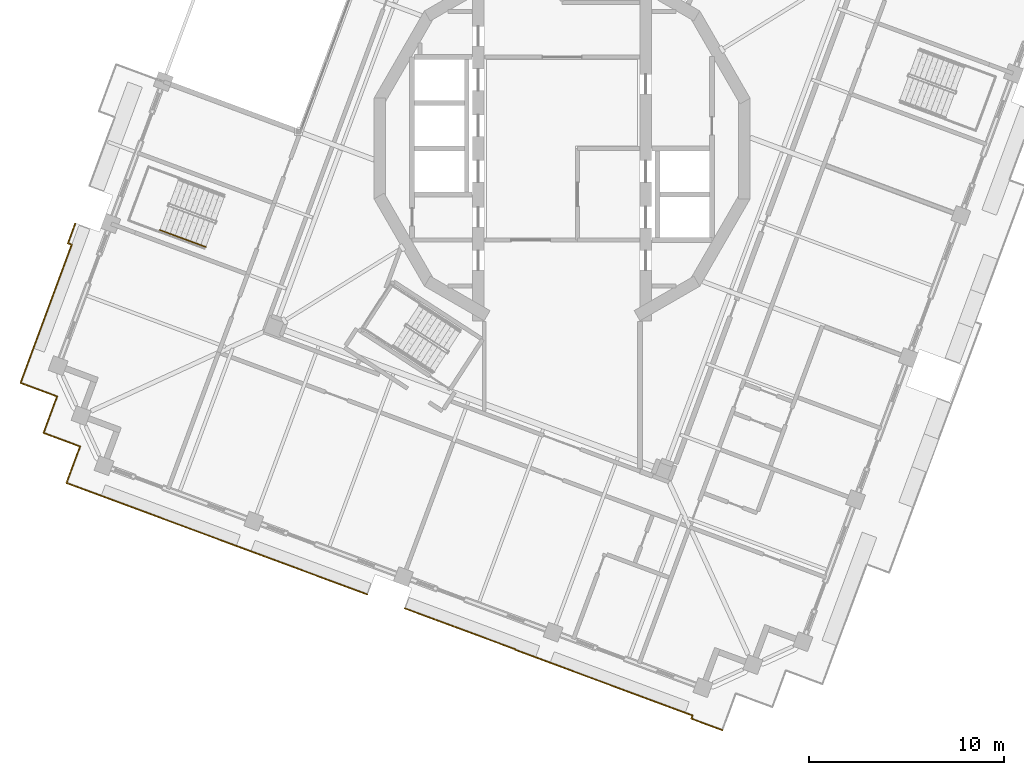
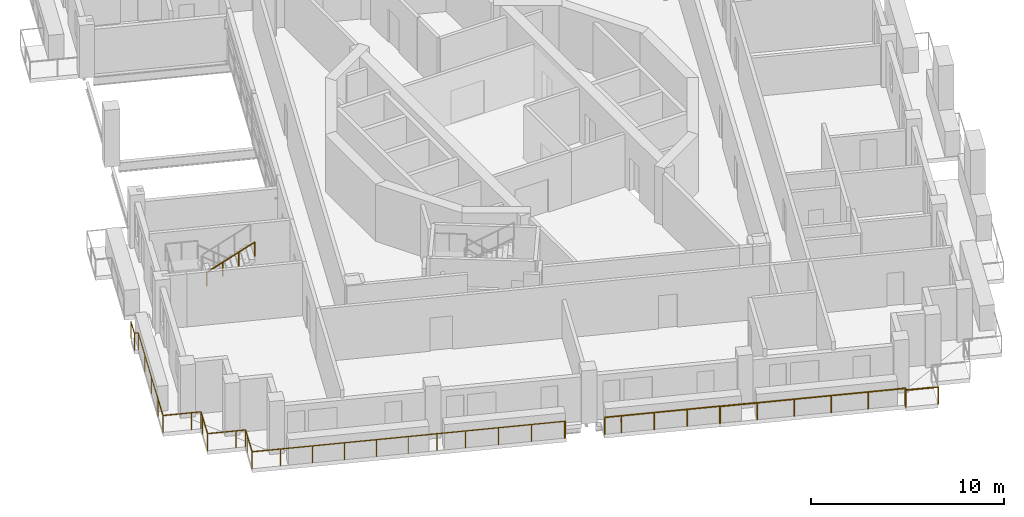
# One storey, part 15 of 20: 4 railings.
"""IFC4 building model written with IfcOpenShell, lengths in metres."""

from ifc_helpers import new_model, si_unit, direction, frame, origin, origin_2d, place, context, subcontext, project, spatial, circle, extrude, material, type_object, element, save


model = new_model("IFC4")

# Units and contexts
model_context = context("Model", 3, precision=1e-05, world=origin(), true_north=direction((0.0, 1.0)))
body_context = subcontext(model_context, "Body", "Model", "MODEL_VIEW")
ifc_project = project(units=[si_unit("LENGTHUNIT", "METRE"), si_unit("AREAUNIT", "SQUARE_METRE"), si_unit("VOLUMEUNIT", "CUBIC_METRE"), si_unit("PLANEANGLEUNIT", "RADIAN"), si_unit("MASSUNIT", "GRAM", prefix="KILO")], contexts=[model_context])

# Site, building, storey
site_placement = place(None, origin())
site = spatial("IfcSite", under=ifc_project, at=site_placement, CompositionType="ELEMENT")
building_placement = place(site_placement, origin())
building = spatial("IfcBuilding", under=site, at=building_placement, Name="Cantera Rosa Tower", CompositionType="ELEMENT")
storey_placement = place(building_placement, frame((0.0, 0.0, 309.699951171875)))
storey = spatial("IfcBuildingStorey", under=building, at=storey_placement, Name="L68", CompositionType="ELEMENT", Elevation=309.699951171875)

# Railings
ifc_material_1 = material(Name="Stainless steel and laminated glass", Category="steel")
railing_type_1 = type_object("IfcRailingType", Name="GUARD 1100", PredefinedType="BALUSTRADE", material=ifc_material_1)
railing_1_placement = place(storey_placement, frame((-26.113525390625, -13.198486328125, 0.0)))
element("IfcRailing", 1, at=railing_1_placement, inside=storey, type_object=railing_type_1, Name="GUARD L68-1", PredefinedType="BALUSTRADE", context=body_context, shape_type="SweptSolid", body=[
    extrude(circle(Radius=0.030029296875, at=origin_2d()), frame((0.0, 0.0, 1.070068359375), z_axis=(0.347696042931, 0.937607306781, 0.0), x_axis=(-0.937607306781, 0.347696042931, 0.0)), (0.0, 0.0, 1.0), 0.5),
    extrude(circle(Radius=0.030029296875, at=origin_2d()), frame((0.173828125, 0.46875, 1.070068359375), z_axis=(-0.937607306781, 0.347696042931, 0.0), x_axis=(-0.347696042931, -0.937607306781, 0.0)), (0.0, 0.0, 1.0), 0.5),
    extrude(circle(Radius=0.030029296875, at=origin_2d()), frame((-0.294921875, 0.642578125, 1.070068359375), z_axis=(-0.93769967459, 0.347446859641, 0.0), x_axis=(-0.347446859641, -0.93769967459, 0.0)), (0.0, 0.0, 1.0), 1.500244140625),
    extrude(circle(Radius=0.030029296875, at=origin_2d()), frame((-1.70166015625, 1.163818359375, 1.070068359375), z_axis=(0.347499887537, 0.937680024402, 0.0), x_axis=(-0.937680024402, 0.347499887537, 0.0)), (0.0, 0.0, 1.0), 1.5),
    extrude(circle(Radius=0.030029296875, at=origin_2d()), frame((-1.180419921875, 2.5703125, 1.070068359375), z_axis=(0.347479430906, 0.937687605281, 0.0), x_axis=(-0.937687605281, 0.347479430906, 0.0)), (0.0, 0.0, 1.0), 6.069091796875),
    extrude(circle(Radius=0.030029296875, at=origin_2d()), frame((0.928466796875, 8.26123046875, 1.070068359375), z_axis=(-0.937748760724, 0.347314355824, 0.0), x_axis=(-0.347314355824, -0.937748760724, 0.0)), (0.0, 0.0, 1.0), 0.2109375),
    extrude(circle(Radius=0.030029296875, at=origin_2d()), frame((0.730712890625, 8.33447265625, 1.070068359375), z_axis=(0.347358490331, 0.937732413429, 0.0), x_axis=(-0.937732413429, 0.347358490331, 0.0)), (0.0, 0.0, 1.0), 1.0810546875),
    extrude(circle(Radius=0.02490234375, at=origin_2d()), origin(), (0.0, 0.0, 1.0), 1.0400390625),
    extrude(circle(Radius=0.02490234375, at=origin_2d()), frame((0.173828125, 0.46875, 0.0)), (0.0, 0.0, 1.0), 1.0400390625),
    extrude(circle(Radius=0.02490234375, at=origin_2d()), frame((-0.294921875, 0.642578125, 0.0)), (0.0, 0.0, 1.0), 1.0400390625),
    extrude(circle(Radius=0.02490234375, at=origin_2d()), frame((-1.70166015625, 1.163818359375, 0.0)), (0.0, 0.0, 1.0), 1.0400390625),
    extrude(circle(Radius=0.02490234375, at=origin_2d()), frame((-1.180419921875, 2.5703125, 0.0)), (0.0, 0.0, 1.0), 1.0400390625),
    extrude(circle(Radius=0.02490234375, at=origin_2d()), frame((-0.4775390625, 4.46728515625, 0.0)), (0.0, 0.0, 1.0), 1.0400390625),
    extrude(circle(Radius=0.02490234375, at=origin_2d()), frame((0.2255859375, 6.3642578125, 0.0)), (0.0, 0.0, 1.0), 1.0400390625),
    extrude(circle(Radius=0.02490234375, at=origin_2d()), frame((0.928466796875, 8.26123046875, 0.0)), (0.0, 0.0, 1.0), 1.0400390625),
    extrude(circle(Radius=0.02490234375, at=origin_2d()), frame((0.730712890625, 8.33447265625, 0.0)), (0.0, 0.0, 1.0), 1.0400390625),
    extrude(circle(Radius=0.02490234375, at=origin_2d()), frame((1.106201171875, 9.34814453125, 0.0)), (0.0, 0.0, 1.0), 1.0400390625),
])
railing_2_placement = place(storey_placement, frame((-10.010498046875, -22.8984375, 0.0)))
element("IfcRailing", 2, at=railing_2_placement, inside=storey, type_object=railing_type_1, Name="GUARD L68-2", PredefinedType="BALUSTRADE", context=body_context, shape_type="SweptSolid", body=[
    extrude(circle(Radius=0.030029296875, at=origin_2d()), frame((0.0, 0.0, 1.070068359375), z_axis=(-0.937327749542, 0.348448977525, 0.0), x_axis=(-0.348448977525, -0.937327749542, 0.0)), (0.0, 0.0, 1.0), 0.070068359375),
    extrude(circle(Radius=0.030029296875, at=origin_2d()), frame((-0.065673828125, 0.0244140625, 1.070068359375), z_axis=(-0.937688147358, 0.347477968085, 0.0), x_axis=(-0.347477968085, -0.937688147358, 0.0)), (0.0, 0.0, 1.0), 5.199951171875),
    extrude(circle(Radius=0.030029296875, at=origin_2d()), frame((-4.941650390625, 1.831298828125, 1.070068359375), z_axis=(-0.937680024402, 0.347499887537, 0.0), x_axis=(-0.347499887537, -0.937680024402, 0.0)), (0.0, 0.0, 1.0), 3.0),
    extrude(circle(Radius=0.030029296875, at=origin_2d()), frame((-7.754638671875, 2.873779296875, 1.070068359375), z_axis=(-0.937686328856, 0.347482875373, 0.0), x_axis=(-0.347482875373, -0.937686328856, 0.0)), (0.0, 0.0, 1.0), 6.699951171875),
    extrude(circle(Radius=0.030029296875, at=origin_2d()), frame((-14.037109375, 5.201904296875, 1.070068359375), z_axis=(-0.93769967459, 0.347446859641, 0.0), x_axis=(-0.347446859641, -0.93769967459, 0.0)), (0.0, 0.0, 1.0), 1.500244140625),
    extrude(circle(Radius=0.030029296875, at=origin_2d()), frame((-15.44384765625, 5.72314453125, 1.070068359375), z_axis=(0.347499887537, 0.937680024402, 0.0), x_axis=(-0.937680024402, 0.347499887537, 0.0)), (0.0, 0.0, 1.0), 1.5),
    extrude(circle(Radius=0.030029296875, at=origin_2d()), frame((-14.922607421875, 7.129638671875, 1.070068359375), z_axis=(0.347696042931, 0.937607306781, 0.0), x_axis=(-0.937607306781, 0.347696042931, 0.0)), (0.0, 0.0, 1.0), 0.5),
    extrude(circle(Radius=0.030029296875, at=origin_2d()), frame((-14.748779296875, 7.598388671875, 1.070068359375), z_axis=(-0.937607306781, 0.347696042931, 0.0), x_axis=(-0.347696042931, -0.937607306781, 0.0)), (0.0, 0.0, 1.0), 0.5),
    extrude(circle(Radius=0.030029296875, at=origin_2d()), frame((-15.217529296875, 7.772216796875, 1.070068359375), z_axis=(-0.93769967459, 0.347446859641, 0.0), x_axis=(-0.347446859641, -0.93769967459, 0.0)), (0.0, 0.0, 1.0), 1.500244140625),
    extrude(circle(Radius=0.030029296875, at=origin_2d()), frame((-16.624267578125, 8.29345703125, 1.070068359375), z_axis=(0.347499887537, 0.937680024402, 0.0), x_axis=(-0.937680024402, 0.347499887537, 0.0)), (0.0, 0.0, 1.0), 1.5),
    extrude(circle(Radius=0.02490234375, at=origin_2d()), origin(), (0.0, 0.0, 1.0), 1.0400390625),
    extrude(circle(Radius=0.02490234375, at=origin_2d()), frame((-0.065673828125, 0.0244140625, 0.0)), (0.0, 0.0, 1.0), 1.0400390625),
    extrude(circle(Radius=0.02490234375, at=origin_2d()), frame((-1.69091796875, 0.626708984375, 0.0)), (0.0, 0.0, 1.0), 1.0400390625),
    extrude(circle(Radius=0.02490234375, at=origin_2d()), frame((-3.31640625, 1.22900390625, 0.0)), (0.0, 0.0, 1.0), 1.0400390625),
    extrude(circle(Radius=0.02490234375, at=origin_2d()), frame((-4.941650390625, 1.831298828125, 0.0)), (0.0, 0.0, 1.0), 1.0400390625),
    extrude(circle(Radius=0.02490234375, at=origin_2d()), frame((-6.34814453125, 2.3525390625, 0.0)), (0.0, 0.0, 1.0), 1.0400390625),
    extrude(circle(Radius=0.02490234375, at=origin_2d()), frame((-7.754638671875, 2.873779296875, 0.0)), (0.0, 0.0, 1.0), 1.0400390625),
    extrude(circle(Radius=0.02490234375, at=origin_2d()), frame((-9.3251953125, 3.455810546875, 0.0)), (0.0, 0.0, 1.0), 1.0400390625),
    extrude(circle(Radius=0.02490234375, at=origin_2d()), frame((-10.89599609375, 4.037841796875, 0.0)), (0.0, 0.0, 1.0), 1.0400390625),
    extrude(circle(Radius=0.02490234375, at=origin_2d()), frame((-12.466552734375, 4.619873046875, 0.0)), (0.0, 0.0, 1.0), 1.0400390625),
    extrude(circle(Radius=0.02490234375, at=origin_2d()), frame((-14.037109375, 5.201904296875, 0.0)), (0.0, 0.0, 1.0), 1.0400390625),
    extrude(circle(Radius=0.02490234375, at=origin_2d()), frame((-15.44384765625, 5.72314453125, 0.0)), (0.0, 0.0, 1.0), 1.0400390625),
    extrude(circle(Radius=0.02490234375, at=origin_2d()), frame((-14.922607421875, 7.129638671875, 0.0)), (0.0, 0.0, 1.0), 1.0400390625),
    extrude(circle(Radius=0.02490234375, at=origin_2d()), frame((-14.748779296875, 7.598388671875, 0.0)), (0.0, 0.0, 1.0), 1.0400390625),
    extrude(circle(Radius=0.02490234375, at=origin_2d()), frame((-15.217529296875, 7.772216796875, 0.0)), (0.0, 0.0, 1.0), 1.0400390625),
    extrude(circle(Radius=0.02490234375, at=origin_2d()), frame((-16.624267578125, 8.29345703125, 0.0)), (0.0, 0.0, 1.0), 1.0400390625),
    extrude(circle(Radius=0.02490234375, at=origin_2d()), frame((-16.10302734375, 9.699951171875, 0.0)), (0.0, 0.0, 1.0), 1.0400390625),
])
railing_3_placement = place(storey_placement, frame((8.23291015625, -29.872314453125, 0.0)))
element("IfcRailing", 3, at=railing_3_placement, inside=storey, type_object=railing_type_1, Name="GUARD L68-6", PredefinedType="BALUSTRADE", context=body_context, shape_type="SweptSolid", body=[
    extrude(circle(Radius=0.030029296875, at=origin_2d()), frame((0.0, 0.0, 1.070068359375), z_axis=(-0.93766211216, 0.347548217403, 0.0), x_axis=(-0.347548217403, -0.93766211216, 0.0)), (0.0, 0.0, 1.0), 1.699951171875),
    extrude(circle(Radius=0.030029296875, at=origin_2d()), frame((-1.593994140625, 0.5908203125, 1.070068359375), z_axis=(0.346946854775, 0.937884790346, 0.0), x_axis=(-0.937884790346, 0.346946854775, 0.0)), (0.0, 0.0, 1.0), 0.173095703125),
    extrude(circle(Radius=0.030029296875, at=origin_2d()), frame((-1.533935546875, 0.753173828125, 1.070068359375), z_axis=(-0.937685768229, 0.347484388226, 0.0), x_axis=(-0.347484388226, -0.937685768229, 0.0)), (0.0, 0.0, 1.0), 9.726806640625),
    extrude(circle(Radius=0.030029296875, at=origin_2d()), frame((-10.654541015625, 4.133056640625, 1.070068359375), z_axis=(0.346127430472, 0.93818750891, 0.0), x_axis=(-0.93818750891, 0.346127430472, 0.0)), (0.0, 0.0, 1.0), 0.02685546875),
    extrude(circle(Radius=0.030029296875, at=origin_2d()), frame((-10.645263671875, 4.158203125, 1.070068359375), z_axis=(-0.937685555013, 0.347484963589, 0.0), x_axis=(-0.347484963589, -0.937685555013, 0.0)), (0.0, 0.0, 1.0), 5.173095703125),
    extrude(circle(Radius=0.030029296875, at=origin_2d()), frame((-15.49609375, 5.955810546875, 1.070068359375), z_axis=(-0.937694580373, 0.347460607753, 0.0), x_axis=(-0.347460607753, -0.937694580373, 0.0)), (0.0, 0.0, 1.0), 0.869873046875),
    extrude(circle(Radius=0.02490234375, at=origin_2d()), origin(), (0.0, 0.0, 1.0), 1.0400390625),
    extrude(circle(Radius=0.02490234375, at=origin_2d()), frame((-1.593994140625, 0.5908203125, 0.0)), (0.0, 0.0, 1.0), 1.0400390625),
    extrude(circle(Radius=0.02490234375, at=origin_2d()), frame((-1.533935546875, 0.753173828125, 0.0)), (0.0, 0.0, 1.0), 1.0400390625),
    extrude(circle(Radius=0.02490234375, at=origin_2d()), frame((-3.358154296875, 1.42919921875, 0.0)), (0.0, 0.0, 1.0), 1.0400390625),
    extrude(circle(Radius=0.02490234375, at=origin_2d()), frame((-5.18212890625, 2.105224609375, 0.0)), (0.0, 0.0, 1.0), 1.0400390625),
    extrude(circle(Radius=0.02490234375, at=origin_2d()), frame((-7.00634765625, 2.781005859375, 0.0)), (0.0, 0.0, 1.0), 1.0400390625),
    extrude(circle(Radius=0.02490234375, at=origin_2d()), frame((-8.830322265625, 3.45703125, 0.0)), (0.0, 0.0, 1.0), 1.0400390625),
    extrude(circle(Radius=0.02490234375, at=origin_2d()), frame((-10.654541015625, 4.133056640625, 0.0)), (0.0, 0.0, 1.0), 1.0400390625),
    extrude(circle(Radius=0.02490234375, at=origin_2d()), frame((-10.645263671875, 4.158203125, 0.0)), (0.0, 0.0, 1.0), 1.0400390625),
    extrude(circle(Radius=0.02490234375, at=origin_2d()), frame((-12.26220703125, 4.75732421875, 0.0)), (0.0, 0.0, 1.0), 1.0400390625),
    extrude(circle(Radius=0.02490234375, at=origin_2d()), frame((-13.879150390625, 5.356689453125, 0.0)), (0.0, 0.0, 1.0), 1.0400390625),
    extrude(circle(Radius=0.02490234375, at=origin_2d()), frame((-15.49609375, 5.955810546875, 0.0)), (0.0, 0.0, 1.0), 1.0400390625),
    extrude(circle(Radius=0.02490234375, at=origin_2d()), frame((-16.311767578125, 6.258056640625, 0.0)), (0.0, 0.0, 1.0), 1.0400390625),
])
ifc_material_2 = material(Name="Steel S355J2 (EN 10025-2)", Category="steel")
railing_type_2 = type_object("IfcRailingType", Name="STAIR HANDRAIL 900", PredefinedType="HANDRAIL", material=ifc_material_2)
railing_4_placement = place(storey_placement, frame((-20.660400390625, -4.181396484375, 1.97998046875)))
element("IfcRailing", 4, at=railing_4_placement, inside=storey, type_object=railing_type_2, Name="L68 ST-63 stair handrail 2", PredefinedType="HANDRAIL", context=body_context, shape_type="SweptSolid", body=[
    extrude(circle(Radius=0.02392578125, at=origin_2d()), frame((0.0, 0.0, 0.8759765625), z_axis=(0.788747577403, -0.292306804437, 0.540771662738), x_axis=(0.347500508527, 0.937679794265, 0.0)), (0.0, 0.0, 1.0), 2.995849609375),
    extrude(circle(Radius=0.02099609375, at=origin_2d()), origin(), (0.0, 0.0, 1.0), 0.851806640625),
    extrude(circle(Radius=0.02099609375, at=origin_2d()), frame((0.78759765625, -0.2919921875, 0.5400390625)), (0.0, 0.0, 1.0), 0.851806640625),
    extrude(circle(Radius=0.02099609375, at=origin_2d()), frame((1.575439453125, -0.583740234375, 1.080078125)), (0.0, 0.0, 1.0), 0.851806640625),
    extrude(circle(Radius=0.02099609375, at=origin_2d()), frame((2.363037109375, -0.875732421875, 1.6201171875)), (0.0, 0.0, 1.0), 0.851806640625),
])

save(model, "model.ifc")
